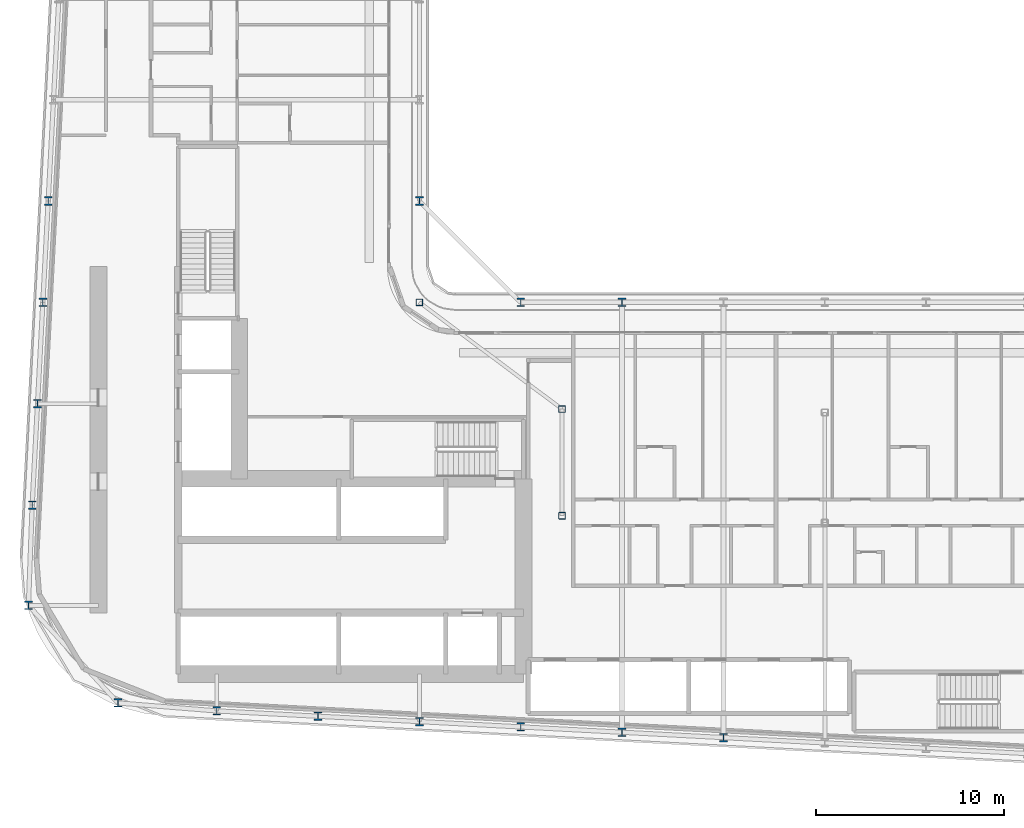
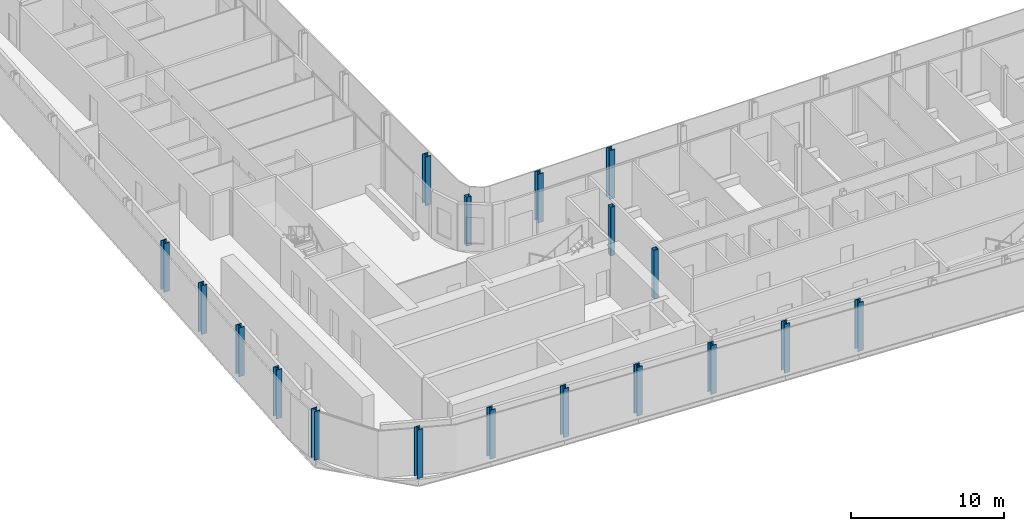
# One storey, part 1 of 29: 18 columns.
"""IFC4 building model written with IfcOpenShell, lengths in metres."""

from ifc_helpers import new_model, si_unit, direction, frame, origin, origin_2d, place, context, subcontext, project, spatial, hollow_rectangle, i_section, extrude, material, material_profile, profile_set, type_object, element, save


model = new_model("IFC4")

# Units and contexts
model_context = context("Model", 3, precision=1e-05, world=origin(), true_north=direction((0.0, 1.0)))
body_context = subcontext(model_context, "Body", "Model", "MODEL_VIEW")
ifc_project = project(units=[si_unit("LENGTHUNIT", "METRE"), si_unit("AREAUNIT", "SQUARE_METRE"), si_unit("VOLUMEUNIT", "CUBIC_METRE"), si_unit("PLANEANGLEUNIT", "RADIAN"), si_unit("MASSUNIT", "GRAM", prefix="KILO")], contexts=[model_context])

# Site, building, storey
site_placement = place(None, origin())
site = spatial("IfcSite", under=ifc_project, at=site_placement, CompositionType="ELEMENT")
building_placement = place(site_placement, origin())
building = spatial("IfcBuilding", under=site, at=building_placement, Name="Kheshtan School and Residences Tower", CompositionType="ELEMENT")
storey_placement = place(building_placement, frame((0.0, 0.0, 121.39990234375)))
storey = spatial("IfcBuildingStorey", under=building, at=storey_placement, Name="L28", CompositionType="ELEMENT", Elevation=121.39990234375)

# Columns
ifc_material_1 = material(Name="Steel ASTM A992 Grade 50", Category="steel")
ifc_material_profile_1 = material_profile(ifc_material_1, i_section(OverallWidth=0.41796875, OverallDepth=0.455078125, WebThickness=0.042236328125, FlangeThickness=0.067626953125, FilletRadius=0.013671875, at=origin_2d()), Name="W360x551")
ifc_profile_set_1 = profile_set([ifc_material_profile_1], Name="Steel ASTM A992 Grade 50")
column_type_1 = type_object("IfcColumnType", Name="Column C2 W360x551 ASTM A992 Grade 50", PredefinedType="COLUMN", material=ifc_profile_set_1)
for number, where, z_axis, x_axis, name in (
    (1, (63.800048828125, 22.410888671875, 0.0), (0.0, 0.0, 1.0), (1.0, 0.0, 0.0), "Column C016"),
    (2, (58.39990234375, 22.695068359375, 0.0), (0.0, 0.0, 1.0), (1.0, 0.0, 0.0), "Column C018"),
    (3, (53.0, 22.97998046875, 0.0), (0.0, 0.0, 1.0), (1.0, 0.0, 0.0), "Column C019"),
    (4, (47.60009765625, 23.263916015625, 0.0), (0.0, 0.0, 1.0), (1.0, 0.0, 0.0), "Column C020"),
    (5, (42.199951171875, 23.548095703125, 0.0), (0.0, 0.0, 1.0), (1.0, 0.0, 0.0), "Column C021"),
    (6, (36.800048828125, 23.83203125, 0.0), (0.0, 0.0, 1.0), (1.0, 0.0, 0.0), "Column C022"),
    (7, (31.5419921875, 24.257080078125, 0.0), (0.0, 0.0, 1.0), (1.0, 0.0, 0.0), "Column C025"),
    (8, (26.76904296875, 29.4541015625, 0.0), (0.0, 0.0, 1.0), (1.0, 0.0, 0.0), "Column C038"),
    (9, (26.968994140625, 34.800048828125, 0.0), (0.0, 0.0, 1.0), (1.0, 0.0, 0.0), "Column C052"),
    (10, (27.2529296875, 40.199951171875, 0.0), (0.0, 0.0, 1.0), (1.0, 0.0, 0.0), "Column C056"),
    (11, (27.537109375, 45.60009765625, 0.0), (0.0, 0.0, 1.0), (1.0, 0.0, 0.0), "Column C059"),
    (12, (53.0, 45.60009765625, 0.0), (0.0, 0.0, 1.0), (1.0, 0.0, 0.0), "Column C061"),
    (13, (58.39990234375, 45.60009765625, 0.0), (0.0, 0.0, 1.0), (1.0, 0.0, 0.0), "Column C062"),
    (14, (27.822021484375, 51.0, 0.0), (0.0, 0.0, 1.0), (1.0, 0.0, 0.0), "Column C078"),
    (15, (47.60009765625, 51.0, 0.0), (0.0, 0.0, 1.0), (1.0, 0.0, 0.0), "Column C079"),
):
    element("IfcColumn", number, at=place(storey_placement, frame(where, z_axis=z_axis, x_axis=x_axis)), inside=storey, type_object=column_type_1, Name=name, PredefinedType="COLUMN", context=body_context, shape_type="SweptSolid", body=[
        extrude(i_section(OverallWidth=0.41796875, OverallDepth=0.455078125, WebThickness=0.042236328125, FlangeThickness=0.067626953125, FilletRadius=0.013671875, at=origin_2d()), origin(), (0.0, 0.0, 1.0), 3.900146484375),
    ])
ifc_material_2 = material(Name="Steel ASTM A500 Grade C", Category="steel")
ifc_material_profile_2 = material_profile(ifc_material_2, hollow_rectangle(XDim=0.35595703125, YDim=0.35595703125, WallThickness=0.015869140625, InnerFilletRadius=0.015869140625, OuterFilletRadius=0.03173828125, at=origin_2d()), Name="HSS 356x356x15.9")
ifc_profile_set_2 = profile_set([ifc_material_profile_2], Name="Steel ASTM A500 Grade C")
column_type_2 = type_object("IfcColumnType", Name="Column IC1 HSS 356x356x15.9 ASTM A500 Grade C", PredefinedType="COLUMN", material=ifc_profile_set_2)
for number, where, z_axis, x_axis, name in (
    (16, (55.199951171875, 34.23193359375, 0.0), (0.0, 0.0, 1.0), (1.0, 0.0, 0.0), "Column C051"),
    (17, (55.199951171875, 39.916015625, 0.0), (0.0, 0.0, 1.0), (1.0, 0.0, 0.0), "Column C055"),
    (18, (47.60009765625, 45.60009765625, 0.0), (0.0, 0.0, 1.0), (1.0, 0.0, 0.0), "Column C060"),
):
    element("IfcColumn", number, at=place(storey_placement, frame(where, z_axis=z_axis, x_axis=x_axis)), inside=storey, type_object=column_type_2, Name=name, PredefinedType="COLUMN", context=body_context, shape_type="SweptSolid", body=[
        extrude(hollow_rectangle(XDim=0.35595703125, YDim=0.35595703125, WallThickness=0.015869140625, InnerFilletRadius=0.015869140625, OuterFilletRadius=0.03173828125, at=origin_2d()), origin(), (0.0, 0.0, 1.0), 3.900146484375),
    ])

save(model, "model.ifc")
